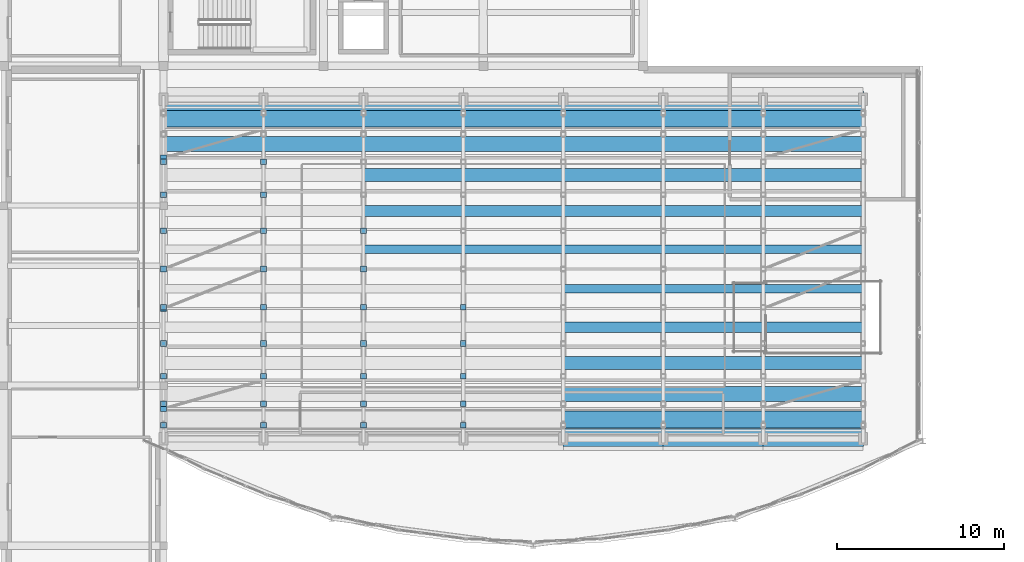
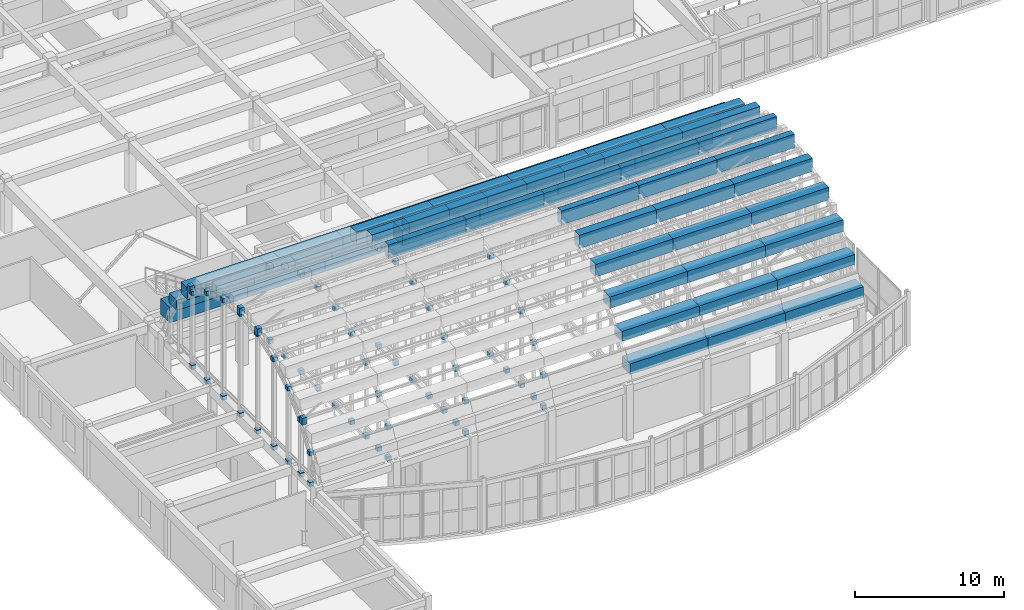
# One storey, part 76 of 91: 118 discrete accessories.
"""IFC4 building model written with IfcOpenShell, lengths in metres."""

from ifc_helpers import new_model, si_unit, direction, frame, origin, origin_2d, place, context, subcontext, project, spatial, rectangle, extrude, material, type_object, element, save


model = new_model("IFC4")

# Units and contexts
model_context = context("Model", 3, precision=1e-05, world=origin(), true_north=direction((0.0, 1.0)))
body_context = subcontext(model_context, "Body", "Model", "MODEL_VIEW")
ifc_project = project(units=[si_unit("LENGTHUNIT", "METRE"), si_unit("AREAUNIT", "SQUARE_METRE"), si_unit("VOLUMEUNIT", "CUBIC_METRE"), si_unit("PLANEANGLEUNIT", "RADIAN"), si_unit("MASSUNIT", "GRAM", prefix="KILO")], contexts=[model_context])

# Site, building, storey
site_placement = place(None, origin())
site = spatial("IfcSite", under=ifc_project, at=site_placement, CompositionType="ELEMENT")
building_placement = place(site_placement, origin())
building = spatial("IfcBuilding", under=site, at=building_placement, Name="Tarnavel Promenade Courthouse", CompositionType="ELEMENT")
storey_placement = place(building_placement, frame((0.0, 0.0, 9.89990234375)))
storey = spatial("IfcBuildingStorey", under=building, at=storey_placement, Name="L03", CompositionType="ELEMENT", Elevation=9.89990234375)

# Discrete accessories
ifc_material = material(Name="Steel S355J2", Category="steel")
discrete_accessory_type = type_object("IfcDiscreteAccessoryType", Name="Steel S355J2 Structural Connection Bracket", PredefinedType="BRACKET", material=ifc_material)
for number, where, z_axis, x_axis, name in (
    (1, (9.60009765625, 15.62890625, 3.9501953125), (0.0, 0.0, 1.0), (1.0, 0.0, 0.0), "V4 Vault Web Strut Node 01-01-B"),
    (2, (9.60009765625, 15.62890625, 6.47802734375), (0.0, 0.0, 1.0), (1.0, 0.0, 0.0), "V4 Vault Web Strut Node 01-01-T"),
    (3, (9.60009765625, 16.90380859375, 3.9501953125), (0.0, 0.0, 1.0), (1.0, 0.0, 0.0), "V4 Vault Web Strut Node 01-02-B"),
    (4, (9.60009765625, 16.90380859375, 8.3955078125), (0.0, 0.0, 1.0), (1.0, 0.0, 0.0), "V4 Vault Web Strut Node 01-02-T"),
    (5, (9.60009765625, 18.564453125, 3.9501953125), (0.0, 0.0, 1.0), (1.0, 0.0, 0.0), "V4 Vault Web Strut Node 01-03-B"),
    (6, (9.60009765625, 18.564453125, 9.990234375), (0.0, 0.0, 1.0), (1.0, 0.0, 0.0), "V4 Vault Web Strut Node 01-03-T"),
    (7, (9.60009765625, 20.531494140625, 3.9501953125), (0.0, 0.0, 1.0), (1.0, 0.0, 0.0), "V4 Vault Web Strut Node 01-04-B"),
    (8, (9.60009765625, 20.531494140625, 11.18701171875), (0.0, 0.0, 1.0), (1.0, 0.0, 0.0), "V4 Vault Web Strut Node 01-04-T"),
    (9, (9.60009765625, 22.711181640625, 3.9501953125), (0.0, 0.0, 1.0), (1.0, 0.0, 0.0), "V4 Vault Web Strut Node 01-05-B"),
    (10, (9.60009765625, 22.711181640625, 11.9287109375), (0.0, 0.0, 1.0), (1.0, 0.0, 0.0), "V4 Vault Web Strut Node 01-05-T"),
    (11, (9.60009765625, 25.0, 3.9501953125), (0.0, 0.0, 1.0), (1.0, 0.0, 0.0), "V4 Vault Web Strut Node 01-06-B"),
    (12, (9.60009765625, 25.0, 12.18017578125), (0.0, 0.0, 1.0), (1.0, 0.0, 0.0), "V4 Vault Web Strut Node 01-06-T"),
    (13, (9.60009765625, 27.288818359375, 3.9501953125), (0.0, 0.0, 1.0), (1.0, 0.0, 0.0), "V4 Vault Web Strut Node 01-07-B"),
    (14, (9.60009765625, 27.288818359375, 11.9287109375), (0.0, 0.0, 1.0), (1.0, 0.0, 0.0), "V4 Vault Web Strut Node 01-07-T"),
    (15, (9.60009765625, 29.468505859375, 3.9501953125), (0.0, 0.0, 1.0), (1.0, 0.0, 0.0), "V4 Vault Web Strut Node 01-08-B"),
    (16, (9.60009765625, 29.468505859375, 11.18701171875), (0.0, 0.0, 1.0), (1.0, 0.0, 0.0), "V4 Vault Web Strut Node 01-08-T"),
    (17, (9.60009765625, 31.435546875, 3.9501953125), (0.0, 0.0, 1.0), (1.0, 0.0, 0.0), "V4 Vault Web Strut Node 01-09-B"),
    (18, (9.60009765625, 31.435546875, 9.990234375), (0.0, 0.0, 1.0), (1.0, 0.0, 0.0), "V4 Vault Web Strut Node 01-09-T"),
    (19, (15.60009765625, 15.62890625, 3.9501953125), (0.0, 0.0, 1.0), (1.0, 0.0, 0.0), "V4 Vault Web Strut Node 02-01-B"),
    (20, (15.60009765625, 15.62890625, 6.47802734375), (0.0, 0.0, 1.0), (1.0, 0.0, 0.0), "V4 Vault Web Strut Node 02-01-T"),
    (21, (15.60009765625, 16.90380859375, 3.9501953125), (0.0, 0.0, 1.0), (1.0, 0.0, 0.0), "V4 Vault Web Strut Node 02-02-B"),
    (22, (15.60009765625, 16.90380859375, 8.3955078125), (0.0, 0.0, 1.0), (1.0, 0.0, 0.0), "V4 Vault Web Strut Node 02-02-T"),
    (23, (15.60009765625, 18.564453125, 3.9501953125), (0.0, 0.0, 1.0), (1.0, 0.0, 0.0), "V4 Vault Web Strut Node 02-03-B"),
    (24, (15.60009765625, 18.564453125, 9.990234375), (0.0, 0.0, 1.0), (1.0, 0.0, 0.0), "V4 Vault Web Strut Node 02-03-T"),
    (25, (15.60009765625, 20.531494140625, 3.9501953125), (0.0, 0.0, 1.0), (1.0, 0.0, 0.0), "V4 Vault Web Strut Node 02-04-B"),
    (26, (15.60009765625, 20.531494140625, 11.18701171875), (0.0, 0.0, 1.0), (1.0, 0.0, 0.0), "V4 Vault Web Strut Node 02-04-T"),
    (27, (15.60009765625, 22.711181640625, 3.9501953125), (0.0, 0.0, 1.0), (1.0, 0.0, 0.0), "V4 Vault Web Strut Node 02-05-B"),
    (28, (15.60009765625, 22.711181640625, 11.9287109375), (0.0, 0.0, 1.0), (1.0, 0.0, 0.0), "V4 Vault Web Strut Node 02-05-T"),
    (29, (15.60009765625, 25.0, 3.9501953125), (0.0, 0.0, 1.0), (1.0, 0.0, 0.0), "V4 Vault Web Strut Node 02-06-B"),
    (30, (15.60009765625, 25.0, 12.18017578125), (0.0, 0.0, 1.0), (1.0, 0.0, 0.0), "V4 Vault Web Strut Node 02-06-T"),
    (31, (15.60009765625, 27.288818359375, 3.9501953125), (0.0, 0.0, 1.0), (1.0, 0.0, 0.0), "V4 Vault Web Strut Node 02-07-B"),
    (32, (15.60009765625, 27.288818359375, 11.9287109375), (0.0, 0.0, 1.0), (1.0, 0.0, 0.0), "V4 Vault Web Strut Node 02-07-T"),
    (33, (15.60009765625, 29.468505859375, 3.9501953125), (0.0, 0.0, 1.0), (1.0, 0.0, 0.0), "V4 Vault Web Strut Node 02-08-B"),
    (34, (15.60009765625, 29.468505859375, 11.18701171875), (0.0, 0.0, 1.0), (1.0, 0.0, 0.0), "V4 Vault Web Strut Node 02-08-T"),
    (35, (15.60009765625, 31.435546875, 3.9501953125), (0.0, 0.0, 1.0), (1.0, 0.0, 0.0), "V4 Vault Web Strut Node 02-09-B"),
    (36, (15.60009765625, 31.435546875, 9.990234375), (0.0, 0.0, 1.0), (1.0, 0.0, 0.0), "V4 Vault Web Strut Node 02-09-T"),
    (37, (21.60009765625, 15.62890625, 3.9501953125), (0.0, 0.0, 1.0), (1.0, 0.0, 0.0), "V4 Vault Web Strut Node 03-01-B"),
    (38, (21.60009765625, 15.62890625, 6.47802734375), (0.0, 0.0, 1.0), (1.0, 0.0, 0.0), "V4 Vault Web Strut Node 03-01-T"),
    (39, (21.60009765625, 16.90380859375, 3.9501953125), (0.0, 0.0, 1.0), (1.0, 0.0, 0.0), "V4 Vault Web Strut Node 03-02-B"),
    (40, (21.60009765625, 16.90380859375, 8.3955078125), (0.0, 0.0, 1.0), (1.0, 0.0, 0.0), "V4 Vault Web Strut Node 03-02-T"),
    (41, (21.60009765625, 18.564453125, 3.9501953125), (0.0, 0.0, 1.0), (1.0, 0.0, 0.0), "V4 Vault Web Strut Node 03-03-B"),
    (42, (21.60009765625, 18.564453125, 9.990234375), (0.0, 0.0, 1.0), (1.0, 0.0, 0.0), "V4 Vault Web Strut Node 03-03-T"),
    (43, (21.60009765625, 20.531494140625, 3.9501953125), (0.0, 0.0, 1.0), (1.0, 0.0, 0.0), "V4 Vault Web Strut Node 03-04-B"),
    (44, (21.60009765625, 20.531494140625, 11.18701171875), (0.0, 0.0, 1.0), (1.0, 0.0, 0.0), "V4 Vault Web Strut Node 03-04-T"),
    (45, (21.60009765625, 22.711181640625, 3.9501953125), (0.0, 0.0, 1.0), (1.0, 0.0, 0.0), "V4 Vault Web Strut Node 03-05-B"),
    (46, (21.60009765625, 22.711181640625, 11.9287109375), (0.0, 0.0, 1.0), (1.0, 0.0, 0.0), "V4 Vault Web Strut Node 03-05-T"),
    (47, (21.60009765625, 25.0, 3.9501953125), (0.0, 0.0, 1.0), (1.0, 0.0, 0.0), "V4 Vault Web Strut Node 03-06-B"),
    (48, (21.60009765625, 25.0, 12.18017578125), (0.0, 0.0, 1.0), (1.0, 0.0, 0.0), "V4 Vault Web Strut Node 03-06-T"),
    (49, (21.60009765625, 27.288818359375, 3.9501953125), (0.0, 0.0, 1.0), (1.0, 0.0, 0.0), "V4 Vault Web Strut Node 03-07-B"),
    (50, (21.60009765625, 27.288818359375, 11.9287109375), (0.0, 0.0, 1.0), (1.0, 0.0, 0.0), "V4 Vault Web Strut Node 03-07-T"),
    (51, (27.60009765625, 15.62890625, 3.9501953125), (0.0, 0.0, 1.0), (1.0, 0.0, 0.0), "V4 Vault Web Strut Node 04-01-B"),
    (52, (27.60009765625, 15.62890625, 6.47802734375), (0.0, 0.0, 1.0), (1.0, 0.0, 0.0), "V4 Vault Web Strut Node 04-01-T"),
    (53, (27.60009765625, 16.90380859375, 3.9501953125), (0.0, 0.0, 1.0), (1.0, 0.0, 0.0), "V4 Vault Web Strut Node 04-02-B"),
    (54, (27.60009765625, 16.90380859375, 8.3955078125), (0.0, 0.0, 1.0), (1.0, 0.0, 0.0), "V4 Vault Web Strut Node 04-02-T"),
    (55, (27.60009765625, 18.564453125, 3.9501953125), (0.0, 0.0, 1.0), (1.0, 0.0, 0.0), "V4 Vault Web Strut Node 04-03-B"),
    (56, (27.60009765625, 18.564453125, 9.990234375), (0.0, 0.0, 1.0), (1.0, 0.0, 0.0), "V4 Vault Web Strut Node 04-03-T"),
    (57, (27.60009765625, 20.531494140625, 3.9501953125), (0.0, 0.0, 1.0), (1.0, 0.0, 0.0), "V4 Vault Web Strut Node 04-04-B"),
    (58, (27.60009765625, 20.531494140625, 11.18701171875), (0.0, 0.0, 1.0), (1.0, 0.0, 0.0), "V4 Vault Web Strut Node 04-04-T"),
    (59, (27.60009765625, 22.711181640625, 3.9501953125), (0.0, 0.0, 1.0), (1.0, 0.0, 0.0), "V4 Vault Web Strut Node 04-05-B"),
    (60, (27.60009765625, 22.711181640625, 11.9287109375), (0.0, 0.0, 1.0), (1.0, 0.0, 0.0), "V4 Vault Web Strut Node 04-05-T"),
):
    element("IfcDiscreteAccessory", number, at=place(storey_placement, frame(where, z_axis=z_axis, x_axis=x_axis)), inside=storey, type_object=discrete_accessory_type, Name=name, PredefinedType="BRACKET", context=body_context, shape_type="SweptSolid", body=[
        extrude(rectangle(XDim=0.340087890625, YDim=0.340087890625, at=origin_2d()), origin(), (0.0, 0.0, 1.0), 0.340087890625),
    ])
discrete_accessory_1_placement = place(storey_placement, frame((12.60009765625, 32.51025390625, 9.15283203125), z_axis=(0.0, 0.0, 1.0), x_axis=(1.0, 0.0, 0.0)))
element("IfcDiscreteAccessory", 61, at=discrete_accessory_1_placement, inside=storey, type_object=discrete_accessory_type, Name="V4 Vault Panel Cleat Assembly 01-10", PredefinedType="BRACKET", context=body_context, shape_type="SweptSolid", body=[
    extrude(rectangle(XDim=6.0400390625, YDim=0.908935546875, at=origin_2d()), origin(), (0.0, 0.0, 1.0), 0.928955078125),
])
discrete_accessory_2_placement = place(storey_placement, frame((12.60009765625, 34.02734375, 7.39697265625), z_axis=(0.0, 0.0, 1.0), x_axis=(1.0, 0.0, 0.0)))
element("IfcDiscreteAccessory", 62, at=discrete_accessory_2_placement, inside=storey, type_object=discrete_accessory_type, Name="V4 Vault Panel Cleat Assembly 01-11", PredefinedType="BRACKET", context=body_context, shape_type="SweptSolid", body=[
    extrude(rectangle(XDim=6.0400390625, YDim=1.0078125, at=origin_2d()), origin(), (0.0, 0.0, 1.0), 0.810791015625),
])
discrete_accessory_3_placement = place(storey_placement, frame((12.60009765625, 35.076416015625, 5.787109375), z_axis=(0.0, 0.0, 1.0), x_axis=(1.0, 0.0, 0.0)))
element("IfcDiscreteAccessory", 63, at=discrete_accessory_3_placement, inside=storey, type_object=discrete_accessory_type, Name="V4 Vault Eave Panel Cleat 01", PredefinedType="BRACKET", context=body_context, shape_type="SweptSolid", body=[
    extrude(rectangle(XDim=6.0400390625, YDim=1.21533203125, at=origin_2d()), origin(), (0.0, 0.0, 1.0), 1.275634765625),
])
for number, where, z_axis, x_axis, name in (
    (64, (9.60009765625, 16.6123046875, 8.4091796875), (0.0, 0.0, 1.0), (1.0, 0.0, 0.0), "V4 Vault Gable Brace Cap Node 01-02"),
    (65, (9.60009765625, 22.62890625, 12.06982421875), (0.0, 0.0, 1.0), (1.0, 0.0, 0.0), "V4 Vault Gable Brace Cap Node 01-05"),
    (66, (9.60009765625, 25.0, 12.330078125), (0.0, 0.0, 1.0), (1.0, 0.0, 0.0), "V4 Vault Gable Brace Cap Node 01-06"),
    (67, (9.60009765625, 31.667236328125, 10.0615234375), (0.0, 0.0, 1.0), (1.0, 0.0, 0.0), "V4 Vault Gable Brace Cap Node 01-09"),
):
    element("IfcDiscreteAccessory", number, at=place(storey_placement, frame(where, z_axis=z_axis, x_axis=x_axis)), inside=storey, type_object=discrete_accessory_type, Name=name, PredefinedType="BRACKET", context=body_context, shape_type="SweptSolid", body=[
        extrude(rectangle(XDim=0.360107421875, YDim=0.360107421875, at=origin_2d()), origin(), (0.0, 0.0, 1.0), 0.56005859375),
    ])
discrete_accessory_4_placement = place(storey_placement, frame((18.60009765625, 32.51025390625, 9.15283203125), z_axis=(0.0, 0.0, 1.0), x_axis=(1.0, 0.0, 0.0)))
element("IfcDiscreteAccessory", 68, at=discrete_accessory_4_placement, inside=storey, type_object=discrete_accessory_type, Name="V4 Vault Panel Cleat Assembly 02-10", PredefinedType="BRACKET", context=body_context, shape_type="SweptSolid", body=[
    extrude(rectangle(XDim=6.0400390625, YDim=0.908935546875, at=origin_2d()), origin(), (0.0, 0.0, 1.0), 0.928955078125),
])
discrete_accessory_5_placement = place(storey_placement, frame((18.60009765625, 34.02734375, 7.39697265625), z_axis=(0.0, 0.0, 1.0), x_axis=(1.0, 0.0, 0.0)))
element("IfcDiscreteAccessory", 69, at=discrete_accessory_5_placement, inside=storey, type_object=discrete_accessory_type, Name="V4 Vault Panel Cleat Assembly 02-11", PredefinedType="BRACKET", context=body_context, shape_type="SweptSolid", body=[
    extrude(rectangle(XDim=6.0400390625, YDim=1.0078125, at=origin_2d()), origin(), (0.0, 0.0, 1.0), 0.810791015625),
])
discrete_accessory_6_placement = place(storey_placement, frame((18.60009765625, 35.076416015625, 5.787109375), z_axis=(0.0, 0.0, 1.0), x_axis=(1.0, 0.0, 0.0)))
element("IfcDiscreteAccessory", 70, at=discrete_accessory_6_placement, inside=storey, type_object=discrete_accessory_type, Name="V4 Vault Eave Panel Cleat 02", PredefinedType="BRACKET", context=body_context, shape_type="SweptSolid", body=[
    extrude(rectangle(XDim=6.0400390625, YDim=1.21533203125, at=origin_2d()), origin(), (0.0, 0.0, 1.0), 1.275634765625),
])
discrete_accessory_7_placement = place(storey_placement, frame((24.60009765625, 26.182861328125, 12.014404296875), z_axis=(0.0, 0.0, 1.0), x_axis=(1.0, 0.0, 0.0)))
element("IfcDiscreteAccessory", 71, at=discrete_accessory_7_placement, inside=storey, type_object=discrete_accessory_type, Name="V4 Vault Panel Cleat Assembly 03-07", PredefinedType="BRACKET", context=body_context, shape_type="SweptSolid", body=[
    extrude(rectangle(XDim=6.0400390625, YDim=0.4970703125, at=origin_2d()), origin(), (0.0, 0.0, 1.0), 1.12158203125),
])
discrete_accessory_8_placement = place(storey_placement, frame((24.60009765625, 28.4921875, 11.51806640625), z_axis=(0.0, 0.0, 1.0), x_axis=(1.0, 0.0, 0.0)))
element("IfcDiscreteAccessory", 72, at=discrete_accessory_8_placement, inside=storey, type_object=discrete_accessory_type, Name="V4 Vault Panel Cleat Assembly 03-08", PredefinedType="BRACKET", context=body_context, shape_type="SweptSolid", body=[
    extrude(rectangle(XDim=6.0400390625, YDim=0.647216796875, at=origin_2d()), origin(), (0.0, 0.0, 1.0), 1.088134765625),
])
discrete_accessory_9_placement = place(storey_placement, frame((24.60009765625, 30.635498046875, 10.548828125), z_axis=(0.0, 0.0, 1.0), x_axis=(1.0, 0.0, 0.0)))
element("IfcDiscreteAccessory", 73, at=discrete_accessory_9_placement, inside=storey, type_object=discrete_accessory_type, Name="V4 Vault Panel Cleat Assembly 03-09", PredefinedType="BRACKET", context=body_context, shape_type="SweptSolid", body=[
    extrude(rectangle(XDim=6.0400390625, YDim=0.786865234375, at=origin_2d()), origin(), (0.0, 0.0, 1.0), 1.02294921875),
])
discrete_accessory_10_placement = place(storey_placement, frame((24.60009765625, 32.51025390625, 9.15283203125), z_axis=(0.0, 0.0, 1.0), x_axis=(1.0, 0.0, 0.0)))
element("IfcDiscreteAccessory", 74, at=discrete_accessory_10_placement, inside=storey, type_object=discrete_accessory_type, Name="V4 Vault Panel Cleat Assembly 03-10", PredefinedType="BRACKET", context=body_context, shape_type="SweptSolid", body=[
    extrude(rectangle(XDim=6.0400390625, YDim=0.908935546875, at=origin_2d()), origin(), (0.0, 0.0, 1.0), 0.928955078125),
])
discrete_accessory_11_placement = place(storey_placement, frame((24.60009765625, 34.02734375, 7.39697265625), z_axis=(0.0, 0.0, 1.0), x_axis=(1.0, 0.0, 0.0)))
element("IfcDiscreteAccessory", 75, at=discrete_accessory_11_placement, inside=storey, type_object=discrete_accessory_type, Name="V4 Vault Panel Cleat Assembly 03-11", PredefinedType="BRACKET", context=body_context, shape_type="SweptSolid", body=[
    extrude(rectangle(XDim=6.0400390625, YDim=1.0078125, at=origin_2d()), origin(), (0.0, 0.0, 1.0), 0.810791015625),
])
discrete_accessory_12_placement = place(storey_placement, frame((24.60009765625, 35.076416015625, 5.787109375), z_axis=(0.0, 0.0, 1.0), x_axis=(1.0, 0.0, 0.0)))
element("IfcDiscreteAccessory", 76, at=discrete_accessory_12_placement, inside=storey, type_object=discrete_accessory_type, Name="V4 Vault Eave Panel Cleat 03", PredefinedType="BRACKET", context=body_context, shape_type="SweptSolid", body=[
    extrude(rectangle(XDim=6.0400390625, YDim=1.21533203125, at=origin_2d()), origin(), (0.0, 0.0, 1.0), 1.275634765625),
])
discrete_accessory_13_placement = place(storey_placement, frame((30.60009765625, 26.182861328125, 12.014404296875), z_axis=(0.0, 0.0, 1.0), x_axis=(1.0, 0.0, 0.0)))
element("IfcDiscreteAccessory", 77, at=discrete_accessory_13_placement, inside=storey, type_object=discrete_accessory_type, Name="V4 Vault Panel Cleat Assembly 04-07", PredefinedType="BRACKET", context=body_context, shape_type="SweptSolid", body=[
    extrude(rectangle(XDim=6.0400390625, YDim=0.4970703125, at=origin_2d()), origin(), (0.0, 0.0, 1.0), 1.12158203125),
])
discrete_accessory_14_placement = place(storey_placement, frame((30.60009765625, 28.4921875, 11.51806640625), z_axis=(0.0, 0.0, 1.0), x_axis=(1.0, 0.0, 0.0)))
element("IfcDiscreteAccessory", 78, at=discrete_accessory_14_placement, inside=storey, type_object=discrete_accessory_type, Name="V4 Vault Panel Cleat Assembly 04-08", PredefinedType="BRACKET", context=body_context, shape_type="SweptSolid", body=[
    extrude(rectangle(XDim=6.0400390625, YDim=0.647216796875, at=origin_2d()), origin(), (0.0, 0.0, 1.0), 1.088134765625),
])
discrete_accessory_15_placement = place(storey_placement, frame((30.60009765625, 30.635498046875, 10.548828125), z_axis=(0.0, 0.0, 1.0), x_axis=(1.0, 0.0, 0.0)))
element("IfcDiscreteAccessory", 79, at=discrete_accessory_15_placement, inside=storey, type_object=discrete_accessory_type, Name="V4 Vault Panel Cleat Assembly 04-09", PredefinedType="BRACKET", context=body_context, shape_type="SweptSolid", body=[
    extrude(rectangle(XDim=6.0400390625, YDim=0.786865234375, at=origin_2d()), origin(), (0.0, 0.0, 1.0), 1.02294921875),
])
discrete_accessory_16_placement = place(storey_placement, frame((30.60009765625, 32.51025390625, 9.15283203125), z_axis=(0.0, 0.0, 1.0), x_axis=(1.0, 0.0, 0.0)))
element("IfcDiscreteAccessory", 80, at=discrete_accessory_16_placement, inside=storey, type_object=discrete_accessory_type, Name="V4 Vault Panel Cleat Assembly 04-10", PredefinedType="BRACKET", context=body_context, shape_type="SweptSolid", body=[
    extrude(rectangle(XDim=6.0400390625, YDim=0.908935546875, at=origin_2d()), origin(), (0.0, 0.0, 1.0), 0.928955078125),
])
discrete_accessory_17_placement = place(storey_placement, frame((30.60009765625, 34.02734375, 7.39697265625), z_axis=(0.0, 0.0, 1.0), x_axis=(1.0, 0.0, 0.0)))
element("IfcDiscreteAccessory", 81, at=discrete_accessory_17_placement, inside=storey, type_object=discrete_accessory_type, Name="V4 Vault Panel Cleat Assembly 04-11", PredefinedType="BRACKET", context=body_context, shape_type="SweptSolid", body=[
    extrude(rectangle(XDim=6.0400390625, YDim=1.0078125, at=origin_2d()), origin(), (0.0, 0.0, 1.0), 0.810791015625),
])
discrete_accessory_18_placement = place(storey_placement, frame((30.60009765625, 35.076416015625, 5.787109375), z_axis=(0.0, 0.0, 1.0), x_axis=(1.0, 0.0, 0.0)))
element("IfcDiscreteAccessory", 82, at=discrete_accessory_18_placement, inside=storey, type_object=discrete_accessory_type, Name="V4 Vault Eave Panel Cleat 04", PredefinedType="BRACKET", context=body_context, shape_type="SweptSolid", body=[
    extrude(rectangle(XDim=6.0400390625, YDim=1.21533203125, at=origin_2d()), origin(), (0.0, 0.0, 1.0), 1.275634765625),
])
discrete_accessory_19_placement = place(storey_placement, frame((36.60009765625, 14.88525390625, 5.3642578125), z_axis=(0.0, 0.0, 1.0), x_axis=(1.0, 0.0, 0.0)))
element("IfcDiscreteAccessory", 83, at=discrete_accessory_19_placement, inside=storey, type_object=discrete_accessory_type, Name="V4 Vault Panel Cleat Assembly 05-01", PredefinedType="BRACKET", context=body_context, shape_type="SweptSolid", body=[
    extrude(rectangle(XDim=6.0400390625, YDim=1.078369140625, at=origin_2d()), origin(), (0.0, 0.0, 1.0), 0.873291015625),
])
discrete_accessory_20_placement = place(storey_placement, frame((36.60009765625, 15.97265625, 7.39697265625), z_axis=(0.0, 0.0, 1.0), x_axis=(1.0, 0.0, 0.0)))
element("IfcDiscreteAccessory", 84, at=discrete_accessory_20_placement, inside=storey, type_object=discrete_accessory_type, Name="V4 Vault Panel Cleat Assembly 05-02", PredefinedType="BRACKET", context=body_context, shape_type="SweptSolid", body=[
    extrude(rectangle(XDim=6.0400390625, YDim=1.0078125, at=origin_2d()), origin(), (0.0, 0.0, 1.0), 0.810791015625),
])
discrete_accessory_21_placement = place(storey_placement, frame((36.60009765625, 17.48974609375, 9.15283203125), z_axis=(0.0, 0.0, 1.0), x_axis=(1.0, 0.0, 0.0)))
element("IfcDiscreteAccessory", 85, at=discrete_accessory_21_placement, inside=storey, type_object=discrete_accessory_type, Name="V4 Vault Panel Cleat Assembly 05-03", PredefinedType="BRACKET", context=body_context, shape_type="SweptSolid", body=[
    extrude(rectangle(XDim=6.0400390625, YDim=0.908935546875, at=origin_2d()), origin(), (0.0, 0.0, 1.0), 0.928955078125),
])
discrete_accessory_22_placement = place(storey_placement, frame((36.60009765625, 19.364501953125, 10.548828125), z_axis=(0.0, 0.0, 1.0), x_axis=(1.0, 0.0, 0.0)))
element("IfcDiscreteAccessory", 86, at=discrete_accessory_22_placement, inside=storey, type_object=discrete_accessory_type, Name="V4 Vault Panel Cleat Assembly 05-04", PredefinedType="BRACKET", context=body_context, shape_type="SweptSolid", body=[
    extrude(rectangle(XDim=6.0400390625, YDim=0.786865234375, at=origin_2d()), origin(), (0.0, 0.0, 1.0), 1.02294921875),
])
discrete_accessory_23_placement = place(storey_placement, frame((36.60009765625, 21.5078125, 11.51806640625), z_axis=(0.0, 0.0, 1.0), x_axis=(1.0, 0.0, 0.0)))
element("IfcDiscreteAccessory", 87, at=discrete_accessory_23_placement, inside=storey, type_object=discrete_accessory_type, Name="V4 Vault Panel Cleat Assembly 05-05", PredefinedType="BRACKET", context=body_context, shape_type="SweptSolid", body=[
    extrude(rectangle(XDim=6.0400390625, YDim=0.647216796875, at=origin_2d()), origin(), (0.0, 0.0, 1.0), 1.088134765625),
])
for number, where, z_axis, x_axis, name in (
    (88, (36.60009765625, 23.817138671875, 12.014404296875), (0.0, 0.0, 1.0), (1.0, 0.0, 0.0), "V4 Vault Panel Cleat Assembly 05-06"),
    (89, (36.60009765625, 26.182861328125, 12.014404296875), (0.0, 0.0, 1.0), (1.0, 0.0, 0.0), "V4 Vault Panel Cleat Assembly 05-07"),
):
    element("IfcDiscreteAccessory", number, at=place(storey_placement, frame(where, z_axis=z_axis, x_axis=x_axis)), inside=storey, type_object=discrete_accessory_type, Name=name, PredefinedType="BRACKET", context=body_context, shape_type="SweptSolid", body=[
        extrude(rectangle(XDim=6.0400390625, YDim=0.4970703125, at=origin_2d()), origin(), (0.0, 0.0, 1.0), 1.12158203125),
    ])
discrete_accessory_24_placement = place(storey_placement, frame((36.60009765625, 28.4921875, 11.51806640625), z_axis=(0.0, 0.0, 1.0), x_axis=(1.0, 0.0, 0.0)))
element("IfcDiscreteAccessory", 90, at=discrete_accessory_24_placement, inside=storey, type_object=discrete_accessory_type, Name="V4 Vault Panel Cleat Assembly 05-08", PredefinedType="BRACKET", context=body_context, shape_type="SweptSolid", body=[
    extrude(rectangle(XDim=6.0400390625, YDim=0.647216796875, at=origin_2d()), origin(), (0.0, 0.0, 1.0), 1.088134765625),
])
discrete_accessory_25_placement = place(storey_placement, frame((36.60009765625, 30.635498046875, 10.548828125), z_axis=(0.0, 0.0, 1.0), x_axis=(1.0, 0.0, 0.0)))
element("IfcDiscreteAccessory", 91, at=discrete_accessory_25_placement, inside=storey, type_object=discrete_accessory_type, Name="V4 Vault Panel Cleat Assembly 05-09", PredefinedType="BRACKET", context=body_context, shape_type="SweptSolid", body=[
    extrude(rectangle(XDim=6.0400390625, YDim=0.786865234375, at=origin_2d()), origin(), (0.0, 0.0, 1.0), 1.02294921875),
])
discrete_accessory_26_placement = place(storey_placement, frame((36.60009765625, 32.51025390625, 9.15283203125), z_axis=(0.0, 0.0, 1.0), x_axis=(1.0, 0.0, 0.0)))
element("IfcDiscreteAccessory", 92, at=discrete_accessory_26_placement, inside=storey, type_object=discrete_accessory_type, Name="V4 Vault Panel Cleat Assembly 05-10", PredefinedType="BRACKET", context=body_context, shape_type="SweptSolid", body=[
    extrude(rectangle(XDim=6.0400390625, YDim=0.908935546875, at=origin_2d()), origin(), (0.0, 0.0, 1.0), 0.928955078125),
])
discrete_accessory_27_placement = place(storey_placement, frame((36.60009765625, 34.02734375, 7.39697265625), z_axis=(0.0, 0.0, 1.0), x_axis=(1.0, 0.0, 0.0)))
element("IfcDiscreteAccessory", 93, at=discrete_accessory_27_placement, inside=storey, type_object=discrete_accessory_type, Name="V4 Vault Panel Cleat Assembly 05-11", PredefinedType="BRACKET", context=body_context, shape_type="SweptSolid", body=[
    extrude(rectangle(XDim=6.0400390625, YDim=1.0078125, at=origin_2d()), origin(), (0.0, 0.0, 1.0), 0.810791015625),
])
discrete_accessory_28_placement = place(storey_placement, frame((36.60009765625, 35.076416015625, 5.787109375), z_axis=(0.0, 0.0, 1.0), x_axis=(1.0, 0.0, 0.0)))
element("IfcDiscreteAccessory", 94, at=discrete_accessory_28_placement, inside=storey, type_object=discrete_accessory_type, Name="V4 Vault Eave Panel Cleat 05", PredefinedType="BRACKET", context=body_context, shape_type="SweptSolid", body=[
    extrude(rectangle(XDim=6.0400390625, YDim=1.21533203125, at=origin_2d()), origin(), (0.0, 0.0, 1.0), 1.275634765625),
])
discrete_accessory_29_placement = place(storey_placement, frame((42.60009765625, 14.88525390625, 5.3642578125), z_axis=(0.0, 0.0, 1.0), x_axis=(1.0, 0.0, 0.0)))
element("IfcDiscreteAccessory", 95, at=discrete_accessory_29_placement, inside=storey, type_object=discrete_accessory_type, Name="V4 Vault Panel Cleat Assembly 06-01", PredefinedType="BRACKET", context=body_context, shape_type="SweptSolid", body=[
    extrude(rectangle(XDim=6.0400390625, YDim=1.078369140625, at=origin_2d()), origin(), (0.0, 0.0, 1.0), 0.873291015625),
])
discrete_accessory_30_placement = place(storey_placement, frame((42.60009765625, 15.97265625, 7.39697265625), z_axis=(0.0, 0.0, 1.0), x_axis=(1.0, 0.0, 0.0)))
element("IfcDiscreteAccessory", 96, at=discrete_accessory_30_placement, inside=storey, type_object=discrete_accessory_type, Name="V4 Vault Panel Cleat Assembly 06-02", PredefinedType="BRACKET", context=body_context, shape_type="SweptSolid", body=[
    extrude(rectangle(XDim=6.0400390625, YDim=1.0078125, at=origin_2d()), origin(), (0.0, 0.0, 1.0), 0.810791015625),
])
discrete_accessory_31_placement = place(storey_placement, frame((42.60009765625, 17.48974609375, 9.15283203125), z_axis=(0.0, 0.0, 1.0), x_axis=(1.0, 0.0, 0.0)))
element("IfcDiscreteAccessory", 97, at=discrete_accessory_31_placement, inside=storey, type_object=discrete_accessory_type, Name="V4 Vault Panel Cleat Assembly 06-03", PredefinedType="BRACKET", context=body_context, shape_type="SweptSolid", body=[
    extrude(rectangle(XDim=6.0400390625, YDim=0.908935546875, at=origin_2d()), origin(), (0.0, 0.0, 1.0), 0.928955078125),
])
discrete_accessory_32_placement = place(storey_placement, frame((42.60009765625, 19.364501953125, 10.548828125), z_axis=(0.0, 0.0, 1.0), x_axis=(1.0, 0.0, 0.0)))
element("IfcDiscreteAccessory", 98, at=discrete_accessory_32_placement, inside=storey, type_object=discrete_accessory_type, Name="V4 Vault Panel Cleat Assembly 06-04", PredefinedType="BRACKET", context=body_context, shape_type="SweptSolid", body=[
    extrude(rectangle(XDim=6.0400390625, YDim=0.786865234375, at=origin_2d()), origin(), (0.0, 0.0, 1.0), 1.02294921875),
])
discrete_accessory_33_placement = place(storey_placement, frame((42.60009765625, 21.5078125, 11.51806640625), z_axis=(0.0, 0.0, 1.0), x_axis=(1.0, 0.0, 0.0)))
element("IfcDiscreteAccessory", 99, at=discrete_accessory_33_placement, inside=storey, type_object=discrete_accessory_type, Name="V4 Vault Panel Cleat Assembly 06-05", PredefinedType="BRACKET", context=body_context, shape_type="SweptSolid", body=[
    extrude(rectangle(XDim=6.0400390625, YDim=0.647216796875, at=origin_2d()), origin(), (0.0, 0.0, 1.0), 1.088134765625),
])
for number, where, z_axis, x_axis, name in (
    (100, (42.60009765625, 23.817138671875, 12.014404296875), (0.0, 0.0, 1.0), (1.0, 0.0, 0.0), "V4 Vault Panel Cleat Assembly 06-06"),
    (101, (42.60009765625, 26.182861328125, 12.014404296875), (0.0, 0.0, 1.0), (1.0, 0.0, 0.0), "V4 Vault Panel Cleat Assembly 06-07"),
):
    element("IfcDiscreteAccessory", number, at=place(storey_placement, frame(where, z_axis=z_axis, x_axis=x_axis)), inside=storey, type_object=discrete_accessory_type, Name=name, PredefinedType="BRACKET", context=body_context, shape_type="SweptSolid", body=[
        extrude(rectangle(XDim=6.0400390625, YDim=0.4970703125, at=origin_2d()), origin(), (0.0, 0.0, 1.0), 1.12158203125),
    ])
discrete_accessory_34_placement = place(storey_placement, frame((42.60009765625, 28.4921875, 11.51806640625), z_axis=(0.0, 0.0, 1.0), x_axis=(1.0, 0.0, 0.0)))
element("IfcDiscreteAccessory", 102, at=discrete_accessory_34_placement, inside=storey, type_object=discrete_accessory_type, Name="V4 Vault Panel Cleat Assembly 06-08", PredefinedType="BRACKET", context=body_context, shape_type="SweptSolid", body=[
    extrude(rectangle(XDim=6.0400390625, YDim=0.647216796875, at=origin_2d()), origin(), (0.0, 0.0, 1.0), 1.088134765625),
])
discrete_accessory_35_placement = place(storey_placement, frame((42.60009765625, 30.635498046875, 10.548828125), z_axis=(0.0, 0.0, 1.0), x_axis=(1.0, 0.0, 0.0)))
element("IfcDiscreteAccessory", 103, at=discrete_accessory_35_placement, inside=storey, type_object=discrete_accessory_type, Name="V4 Vault Panel Cleat Assembly 06-09", PredefinedType="BRACKET", context=body_context, shape_type="SweptSolid", body=[
    extrude(rectangle(XDim=6.0400390625, YDim=0.786865234375, at=origin_2d()), origin(), (0.0, 0.0, 1.0), 1.02294921875),
])
discrete_accessory_36_placement = place(storey_placement, frame((42.60009765625, 32.51025390625, 9.15283203125), z_axis=(0.0, 0.0, 1.0), x_axis=(1.0, 0.0, 0.0)))
element("IfcDiscreteAccessory", 104, at=discrete_accessory_36_placement, inside=storey, type_object=discrete_accessory_type, Name="V4 Vault Panel Cleat Assembly 06-10", PredefinedType="BRACKET", context=body_context, shape_type="SweptSolid", body=[
    extrude(rectangle(XDim=6.0400390625, YDim=0.908935546875, at=origin_2d()), origin(), (0.0, 0.0, 1.0), 0.928955078125),
])
discrete_accessory_37_placement = place(storey_placement, frame((42.60009765625, 34.02734375, 7.39697265625), z_axis=(0.0, 0.0, 1.0), x_axis=(1.0, 0.0, 0.0)))
element("IfcDiscreteAccessory", 105, at=discrete_accessory_37_placement, inside=storey, type_object=discrete_accessory_type, Name="V4 Vault Panel Cleat Assembly 06-11", PredefinedType="BRACKET", context=body_context, shape_type="SweptSolid", body=[
    extrude(rectangle(XDim=6.0400390625, YDim=1.0078125, at=origin_2d()), origin(), (0.0, 0.0, 1.0), 0.810791015625),
])
discrete_accessory_38_placement = place(storey_placement, frame((42.60009765625, 35.076416015625, 5.787109375), z_axis=(0.0, 0.0, 1.0), x_axis=(1.0, 0.0, 0.0)))
element("IfcDiscreteAccessory", 106, at=discrete_accessory_38_placement, inside=storey, type_object=discrete_accessory_type, Name="V4 Vault Eave Panel Cleat 06", PredefinedType="BRACKET", context=body_context, shape_type="SweptSolid", body=[
    extrude(rectangle(XDim=6.0400390625, YDim=1.21533203125, at=origin_2d()), origin(), (0.0, 0.0, 1.0), 1.275634765625),
])
discrete_accessory_39_placement = place(storey_placement, frame((48.60009765625, 14.88525390625, 5.3642578125), z_axis=(0.0, 0.0, 1.0), x_axis=(1.0, 0.0, 0.0)))
element("IfcDiscreteAccessory", 107, at=discrete_accessory_39_placement, inside=storey, type_object=discrete_accessory_type, Name="V4 Vault Panel Cleat Assembly 07-01", PredefinedType="BRACKET", context=body_context, shape_type="SweptSolid", body=[
    extrude(rectangle(XDim=6.0400390625, YDim=1.078369140625, at=origin_2d()), origin(), (0.0, 0.0, 1.0), 0.873291015625),
])
discrete_accessory_40_placement = place(storey_placement, frame((48.60009765625, 15.97265625, 7.39697265625), z_axis=(0.0, 0.0, 1.0), x_axis=(1.0, 0.0, 0.0)))
element("IfcDiscreteAccessory", 108, at=discrete_accessory_40_placement, inside=storey, type_object=discrete_accessory_type, Name="V4 Vault Panel Cleat Assembly 07-02", PredefinedType="BRACKET", context=body_context, shape_type="SweptSolid", body=[
    extrude(rectangle(XDim=6.0400390625, YDim=1.0078125, at=origin_2d()), origin(), (0.0, 0.0, 1.0), 0.810791015625),
])
discrete_accessory_41_placement = place(storey_placement, frame((48.60009765625, 17.48974609375, 9.15283203125), z_axis=(0.0, 0.0, 1.0), x_axis=(1.0, 0.0, 0.0)))
element("IfcDiscreteAccessory", 109, at=discrete_accessory_41_placement, inside=storey, type_object=discrete_accessory_type, Name="V4 Vault Panel Cleat Assembly 07-03", PredefinedType="BRACKET", context=body_context, shape_type="SweptSolid", body=[
    extrude(rectangle(XDim=6.0400390625, YDim=0.908935546875, at=origin_2d()), origin(), (0.0, 0.0, 1.0), 0.928955078125),
])
discrete_accessory_42_placement = place(storey_placement, frame((48.60009765625, 19.364501953125, 10.548828125), z_axis=(0.0, 0.0, 1.0), x_axis=(1.0, 0.0, 0.0)))
element("IfcDiscreteAccessory", 110, at=discrete_accessory_42_placement, inside=storey, type_object=discrete_accessory_type, Name="V4 Vault Panel Cleat Assembly 07-04", PredefinedType="BRACKET", context=body_context, shape_type="SweptSolid", body=[
    extrude(rectangle(XDim=6.0400390625, YDim=0.786865234375, at=origin_2d()), origin(), (0.0, 0.0, 1.0), 1.02294921875),
])
discrete_accessory_43_placement = place(storey_placement, frame((48.60009765625, 21.5078125, 11.51806640625), z_axis=(0.0, 0.0, 1.0), x_axis=(1.0, 0.0, 0.0)))
element("IfcDiscreteAccessory", 111, at=discrete_accessory_43_placement, inside=storey, type_object=discrete_accessory_type, Name="V4 Vault Panel Cleat Assembly 07-05", PredefinedType="BRACKET", context=body_context, shape_type="SweptSolid", body=[
    extrude(rectangle(XDim=6.0400390625, YDim=0.647216796875, at=origin_2d()), origin(), (0.0, 0.0, 1.0), 1.088134765625),
])
for number, where, z_axis, x_axis, name in (
    (112, (48.60009765625, 23.817138671875, 12.014404296875), (0.0, 0.0, 1.0), (1.0, 0.0, 0.0), "V4 Vault Panel Cleat Assembly 07-06"),
    (113, (48.60009765625, 26.182861328125, 12.014404296875), (0.0, 0.0, 1.0), (1.0, 0.0, 0.0), "V4 Vault Panel Cleat Assembly 07-07"),
):
    element("IfcDiscreteAccessory", number, at=place(storey_placement, frame(where, z_axis=z_axis, x_axis=x_axis)), inside=storey, type_object=discrete_accessory_type, Name=name, PredefinedType="BRACKET", context=body_context, shape_type="SweptSolid", body=[
        extrude(rectangle(XDim=6.0400390625, YDim=0.4970703125, at=origin_2d()), origin(), (0.0, 0.0, 1.0), 1.12158203125),
    ])
discrete_accessory_44_placement = place(storey_placement, frame((48.60009765625, 28.4921875, 11.51806640625), z_axis=(0.0, 0.0, 1.0), x_axis=(1.0, 0.0, 0.0)))
element("IfcDiscreteAccessory", 114, at=discrete_accessory_44_placement, inside=storey, type_object=discrete_accessory_type, Name="V4 Vault Panel Cleat Assembly 07-08", PredefinedType="BRACKET", context=body_context, shape_type="SweptSolid", body=[
    extrude(rectangle(XDim=6.0400390625, YDim=0.647216796875, at=origin_2d()), origin(), (0.0, 0.0, 1.0), 1.088134765625),
])
discrete_accessory_45_placement = place(storey_placement, frame((48.60009765625, 30.635498046875, 10.548828125), z_axis=(0.0, 0.0, 1.0), x_axis=(1.0, 0.0, 0.0)))
element("IfcDiscreteAccessory", 115, at=discrete_accessory_45_placement, inside=storey, type_object=discrete_accessory_type, Name="V4 Vault Panel Cleat Assembly 07-09", PredefinedType="BRACKET", context=body_context, shape_type="SweptSolid", body=[
    extrude(rectangle(XDim=6.0400390625, YDim=0.786865234375, at=origin_2d()), origin(), (0.0, 0.0, 1.0), 1.02294921875),
])
discrete_accessory_46_placement = place(storey_placement, frame((48.60009765625, 32.51025390625, 9.15283203125), z_axis=(0.0, 0.0, 1.0), x_axis=(1.0, 0.0, 0.0)))
element("IfcDiscreteAccessory", 116, at=discrete_accessory_46_placement, inside=storey, type_object=discrete_accessory_type, Name="V4 Vault Panel Cleat Assembly 07-10", PredefinedType="BRACKET", context=body_context, shape_type="SweptSolid", body=[
    extrude(rectangle(XDim=6.0400390625, YDim=0.908935546875, at=origin_2d()), origin(), (0.0, 0.0, 1.0), 0.928955078125),
])
discrete_accessory_47_placement = place(storey_placement, frame((48.60009765625, 34.02734375, 7.39697265625), z_axis=(0.0, 0.0, 1.0), x_axis=(1.0, 0.0, 0.0)))
element("IfcDiscreteAccessory", 117, at=discrete_accessory_47_placement, inside=storey, type_object=discrete_accessory_type, Name="V4 Vault Panel Cleat Assembly 07-11", PredefinedType="BRACKET", context=body_context, shape_type="SweptSolid", body=[
    extrude(rectangle(XDim=6.0400390625, YDim=1.0078125, at=origin_2d()), origin(), (0.0, 0.0, 1.0), 0.810791015625),
])
discrete_accessory_48_placement = place(storey_placement, frame((48.60009765625, 35.076416015625, 5.787109375), z_axis=(0.0, 0.0, 1.0), x_axis=(1.0, 0.0, 0.0)))
element("IfcDiscreteAccessory", 118, at=discrete_accessory_48_placement, inside=storey, type_object=discrete_accessory_type, Name="V4 Vault Eave Panel Cleat 07", PredefinedType="BRACKET", context=body_context, shape_type="SweptSolid", body=[
    extrude(rectangle(XDim=6.0400390625, YDim=1.21533203125, at=origin_2d()), origin(), (0.0, 0.0, 1.0), 1.275634765625),
])

save(model, "model.ifc")
